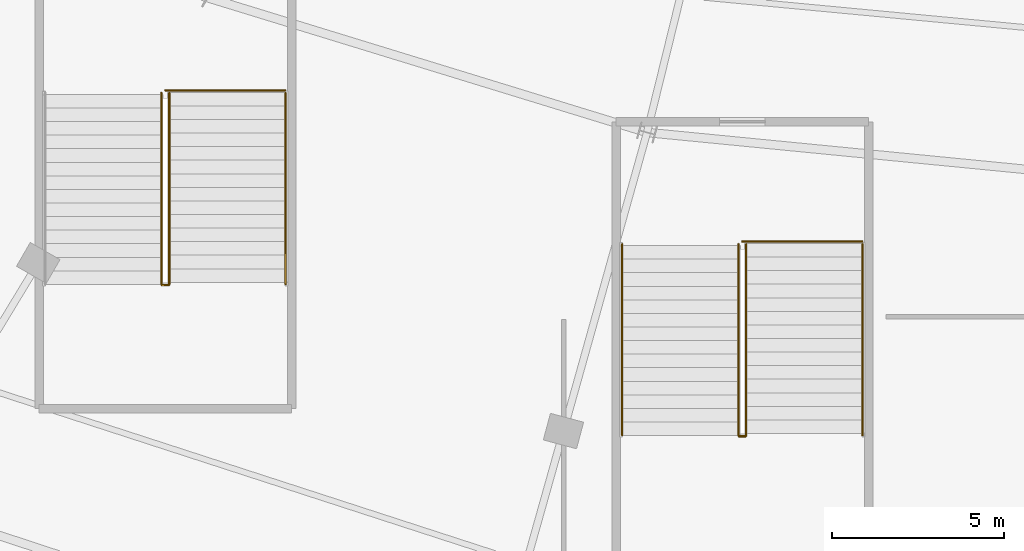
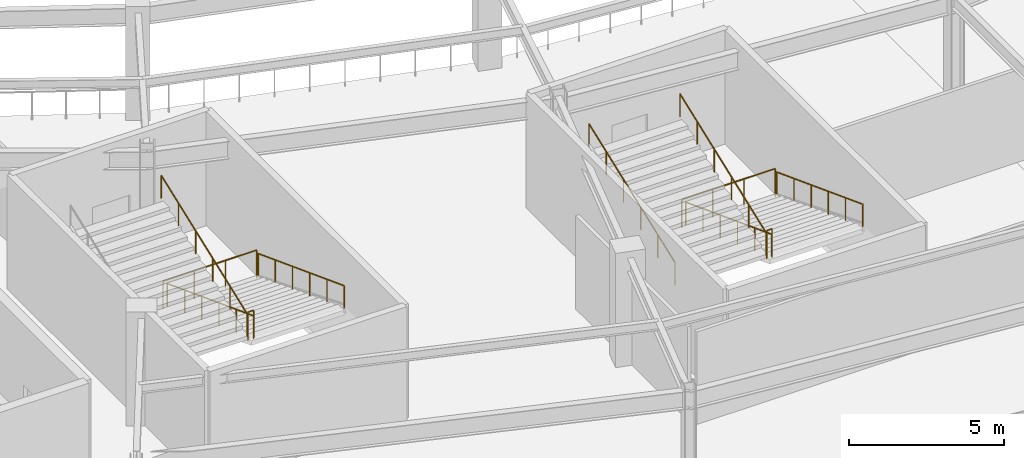
# One storey, part 92 of 107: 11 railings.
"""IFC4 building model written with IfcOpenShell, lengths in metres."""

from ifc_helpers import new_model, si_unit, direction, frame, origin, origin_2d, place, context, subcontext, project, spatial, circle, extrude, material, type_object, element, save


model = new_model("IFC4")

# Units and contexts
model_context = context("Model", 3, precision=1e-05, world=origin(), true_north=direction((0.0, 1.0)))
body_context = subcontext(model_context, "Body", "Model", "MODEL_VIEW")
ifc_project = project(units=[si_unit("LENGTHUNIT", "METRE"), si_unit("AREAUNIT", "SQUARE_METRE"), si_unit("VOLUMEUNIT", "CUBIC_METRE"), si_unit("PLANEANGLEUNIT", "RADIAN"), si_unit("MASSUNIT", "GRAM", prefix="KILO")], contexts=[model_context])

# Site, building, storey
site_placement = place(None, origin())
site = spatial("IfcSite", under=ifc_project, at=site_placement, CompositionType="ELEMENT")
building_placement = place(site_placement, origin())
building = spatial("IfcBuilding", under=site, at=building_placement, Name="Kalgoora Escarpment Arena", CompositionType="ELEMENT")
storey_placement = place(building_placement, frame((0.0, 0.0, 5.39990234375)))
storey = spatial("IfcBuildingStorey", under=building, at=storey_placement, Name="L01", CompositionType="ELEMENT", Elevation=5.39990234375)

# Railings
ifc_material_1 = material(Name="Galvanised & powdercoated tubular steel", Category="steel")
railing_type_1 = type_object("IfcRailingType", Name="RAL-GUARD-1120", PredefinedType="GUARDRAIL", material=ifc_material_1)
railing_1_placement = place(storey_placement, frame((64.5048828125, 20.919921875, 2.25)))
element("IfcRailing", 1, at=railing_1_placement, inside=storey, type_object=railing_type_1, Name="ST13 L01 half-landing well guard", PredefinedType="GUARDRAIL", context=body_context, shape_type="SweptSolid", body=[
    extrude(circle(Radius=0.02392578125, at=origin_2d()), frame((0.0, 0.0, 1.09619140625), z_axis=(-1.0, 0.0, 0.0), x_axis=(0.0, -1.0, 0.0)), (0.0, 0.0, 1.0), 0.2099609375),
    extrude(circle(Radius=0.02099609375, at=origin_2d()), origin(), (0.0, 0.0, 1.0), 1.072021484375),
    extrude(circle(Radius=0.02099609375, at=origin_2d()), frame((-0.2099609375, 0.0, 0.0)), (0.0, 0.0, 1.0), 1.072021484375),
])
railing_2_placement = place(storey_placement, frame((67.889892578125, 26.590087890625, 0.0)))
element("IfcRailing", 2, at=railing_2_placement, inside=storey, type_object=railing_type_1, Name="ST13 L01 floor landing well guard", PredefinedType="GUARDRAIL", context=body_context, shape_type="SweptSolid", body=[
    extrude(circle(Radius=0.02392578125, at=origin_2d()), frame((0.0, 0.0, 1.09619140625), z_axis=(-1.0, 0.0, 0.0), x_axis=(0.0, -1.0, 0.0)), (0.0, 0.0, 1.0), 3.489990234375),
    extrude(circle(Radius=0.02099609375, at=origin_2d()), origin(), (0.0, 0.0, 1.0), 1.072021484375),
    extrude(circle(Radius=0.02099609375, at=origin_2d()), frame((-1.163330078125, 0.0, 0.0)), (0.0, 0.0, 1.0), 1.072021484375),
    extrude(circle(Radius=0.02099609375, at=origin_2d()), frame((-2.32666015625, 0.0, 0.0)), (0.0, 0.0, 1.0), 1.072021484375),
    extrude(circle(Radius=0.02099609375, at=origin_2d()), frame((-3.489990234375, 0.0, 0.0)), (0.0, 0.0, 1.0), 1.072021484375),
])
railing_3_placement = place(storey_placement, frame((81.300048828125, 16.52001953125, 2.25)))
element("IfcRailing", 3, at=railing_3_placement, inside=storey, type_object=railing_type_1, Name="ST14 L01 half-landing well guard", PredefinedType="GUARDRAIL", context=body_context, shape_type="SweptSolid", body=[
    extrude(circle(Radius=0.02392578125, at=origin_2d()), frame((0.0, 0.0, 1.09619140625), z_axis=(-1.0, 0.0, 0.0), x_axis=(0.0, -1.0, 0.0)), (0.0, 0.0, 1.0), 0.199951171875),
    extrude(circle(Radius=0.02099609375, at=origin_2d()), origin(), (0.0, 0.0, 1.0), 1.072021484375),
    extrude(circle(Radius=0.02099609375, at=origin_2d()), frame((-0.199951171875, 0.0, 0.0)), (0.0, 0.0, 1.0), 1.072021484375),
])
railing_4_placement = place(storey_placement, frame((84.68994140625, 22.18994140625, 0.0)))
element("IfcRailing", 4, at=railing_4_placement, inside=storey, type_object=railing_type_1, Name="ST14 L01 floor landing well guard", PredefinedType="GUARDRAIL", context=body_context, shape_type="SweptSolid", body=[
    extrude(circle(Radius=0.02392578125, at=origin_2d()), frame((0.0, 0.0, 1.09619140625), z_axis=(-1.0, 0.0, 0.0), x_axis=(0.0, -1.0, 0.0)), (0.0, 0.0, 1.0), 3.489990234375),
    extrude(circle(Radius=0.02099609375, at=origin_2d()), origin(), (0.0, 0.0, 1.0), 1.072021484375),
    extrude(circle(Radius=0.02099609375, at=origin_2d()), frame((-1.163330078125, 0.0, 0.0)), (0.0, 0.0, 1.0), 1.072021484375),
    extrude(circle(Radius=0.02099609375, at=origin_2d()), frame((-2.32666015625, 0.0, 0.0)), (0.0, 0.0, 1.0), 1.072021484375),
    extrude(circle(Radius=0.02099609375, at=origin_2d()), frame((-3.489990234375, 0.0, 0.0)), (0.0, 0.0, 1.0), 1.072021484375),
])
ifc_material_2 = material(Name="Brushed stainless steel 316 handrail", Category="steel")
railing_type_2 = type_object("IfcRailingType", Name="RAL-HAND-920", PredefinedType="HANDRAIL", material=ifc_material_2)
for number, where, name in (
    (5, (67.89990234375, 26.510009765625, 0.110107421875), "ST13 L01 pitched stair handrail F1L"),
    (6, (64.514892578125, 26.510009765625, 0.110107421875), "ST13 L01 pitched stair handrail F1R"),
):
    element("IfcRailing", number, at=place(storey_placement, frame(where)), inside=storey, type_object=railing_type_2, Name=name, PredefinedType="HANDRAIL", context=body_context, shape_type="SweptSolid", body=[
        extrude(circle(Radius=0.02392578125, at=origin_2d()), frame((0.0, 0.0, 0.89599609375), z_axis=(0.0, -0.935492612948, 0.353346248203), x_axis=(1.0, 0.0, 0.0)), (0.0, 0.0, 1.0), 5.943359375),
        extrude(circle(Radius=0.02099609375, at=origin_2d()), origin(), (0.0, 0.0, 1.0), 0.871826171875),
        extrude(circle(Radius=0.02099609375, at=origin_2d()), frame((0.0, -1.112060546875, 0.419921875)), (0.0, 0.0, 1.0), 0.871826171875),
        extrude(circle(Radius=0.02099609375, at=origin_2d()), frame((0.0, -2.22412109375, 0.840087890625)), (0.0, 0.0, 1.0), 0.871826171875),
        extrude(circle(Radius=0.02099609375, at=origin_2d()), frame((0.0, -3.3359375, 1.260009765625)), (0.0, 0.0, 1.0), 0.871826171875),
        extrude(circle(Radius=0.02099609375, at=origin_2d()), frame((0.0, -4.447998046875, 1.68017578125)), (0.0, 0.0, 1.0), 0.871826171875),
        extrude(circle(Radius=0.02099609375, at=origin_2d()), frame((0.0, -5.56005859375, 2.10009765625)), (0.0, 0.0, 1.0), 0.871826171875),
    ])
railing_5_placement = place(storey_placement, frame((64.284912109375, 20.949951171875, 2.360107421875)))
element("IfcRailing", 7, at=railing_5_placement, inside=storey, type_object=railing_type_2, Name="ST13 L01 pitched stair handrail F2L", PredefinedType="HANDRAIL", context=body_context, shape_type="SweptSolid", body=[
    extrude(circle(Radius=0.02392578125, at=origin_2d()), frame((0.0, 0.0, 0.89599609375), z_axis=(0.0, 0.935492612948, 0.353346248203), x_axis=(-1.0, 0.0, 0.0)), (0.0, 0.0, 1.0), 5.943359375),
    extrude(circle(Radius=0.02099609375, at=origin_2d()), origin(), (0.0, 0.0, 1.0), 0.871826171875),
    extrude(circle(Radius=0.02099609375, at=origin_2d()), frame((0.0, 1.112060546875, 0.419921875)), (0.0, 0.0, 1.0), 0.871826171875),
    extrude(circle(Radius=0.02099609375, at=origin_2d()), frame((0.0, 2.22412109375, 0.840087890625)), (0.0, 0.0, 1.0), 0.871826171875),
    extrude(circle(Radius=0.02099609375, at=origin_2d()), frame((0.0, 3.3359375, 1.260009765625)), (0.0, 0.0, 1.0), 0.871826171875),
    extrude(circle(Radius=0.02099609375, at=origin_2d()), frame((0.0, 4.447998046875, 1.68017578125)), (0.0, 0.0, 1.0), 0.871826171875),
    extrude(circle(Radius=0.02099609375, at=origin_2d()), frame((0.0, 5.56005859375, 2.10009765625)), (0.0, 0.0, 1.0), 0.871826171875),
])
for number, where, name in (
    (8, (84.699951171875, 22.110107421875, 0.110107421875), "ST14 L01 pitched stair handrail F1L"),
    (9, (81.31005859375, 22.110107421875, 0.110107421875), "ST14 L01 pitched stair handrail F1R"),
):
    element("IfcRailing", number, at=place(storey_placement, frame(where)), inside=storey, type_object=railing_type_2, Name=name, PredefinedType="HANDRAIL", context=body_context, shape_type="SweptSolid", body=[
        extrude(circle(Radius=0.02392578125, at=origin_2d()), frame((0.0, 0.0, 0.89599609375), z_axis=(0.0, -0.935492612948, 0.353346248203), x_axis=(1.0, 0.0, 0.0)), (0.0, 0.0, 1.0), 5.943359375),
        extrude(circle(Radius=0.02099609375, at=origin_2d()), origin(), (0.0, 0.0, 1.0), 0.871826171875),
        extrude(circle(Radius=0.02099609375, at=origin_2d()), frame((0.0, -1.112060546875, 0.419921875)), (0.0, 0.0, 1.0), 0.871826171875),
        extrude(circle(Radius=0.02099609375, at=origin_2d()), frame((0.0, -2.22412109375, 0.840087890625)), (0.0, 0.0, 1.0), 0.871826171875),
        extrude(circle(Radius=0.02099609375, at=origin_2d()), frame((0.0, -3.3359375, 1.260009765625)), (0.0, 0.0, 1.0), 0.871826171875),
        extrude(circle(Radius=0.02099609375, at=origin_2d()), frame((0.0, -4.447998046875, 1.68017578125)), (0.0, 0.0, 1.0), 0.871826171875),
        extrude(circle(Radius=0.02099609375, at=origin_2d()), frame((0.0, -5.56005859375, 2.10009765625)), (0.0, 0.0, 1.0), 0.871826171875),
    ])
for number, where, name in (
    (10, (81.090087890625, 16.550048828125, 2.360107421875), "ST14 L01 pitched stair handrail F2L"),
    (11, (77.699951171875, 16.550048828125, 2.360107421875), "ST14 L01 pitched stair handrail F2R"),
):
    element("IfcRailing", number, at=place(storey_placement, frame(where)), inside=storey, type_object=railing_type_2, Name=name, PredefinedType="HANDRAIL", context=body_context, shape_type="SweptSolid", body=[
        extrude(circle(Radius=0.02392578125, at=origin_2d()), frame((0.0, 0.0, 0.89599609375), z_axis=(0.0, 0.935492612948, 0.353346248203), x_axis=(-1.0, 0.0, 0.0)), (0.0, 0.0, 1.0), 5.943359375),
        extrude(circle(Radius=0.02099609375, at=origin_2d()), origin(), (0.0, 0.0, 1.0), 0.871826171875),
        extrude(circle(Radius=0.02099609375, at=origin_2d()), frame((0.0, 1.112060546875, 0.419921875)), (0.0, 0.0, 1.0), 0.871826171875),
        extrude(circle(Radius=0.02099609375, at=origin_2d()), frame((0.0, 2.22412109375, 0.840087890625)), (0.0, 0.0, 1.0), 0.871826171875),
        extrude(circle(Radius=0.02099609375, at=origin_2d()), frame((0.0, 3.3359375, 1.260009765625)), (0.0, 0.0, 1.0), 0.871826171875),
        extrude(circle(Radius=0.02099609375, at=origin_2d()), frame((0.0, 4.447998046875, 1.68017578125)), (0.0, 0.0, 1.0), 0.871826171875),
        extrude(circle(Radius=0.02099609375, at=origin_2d()), frame((0.0, 5.56005859375, 2.10009765625)), (0.0, 0.0, 1.0), 0.871826171875),
    ])

save(model, "model.ifc")
